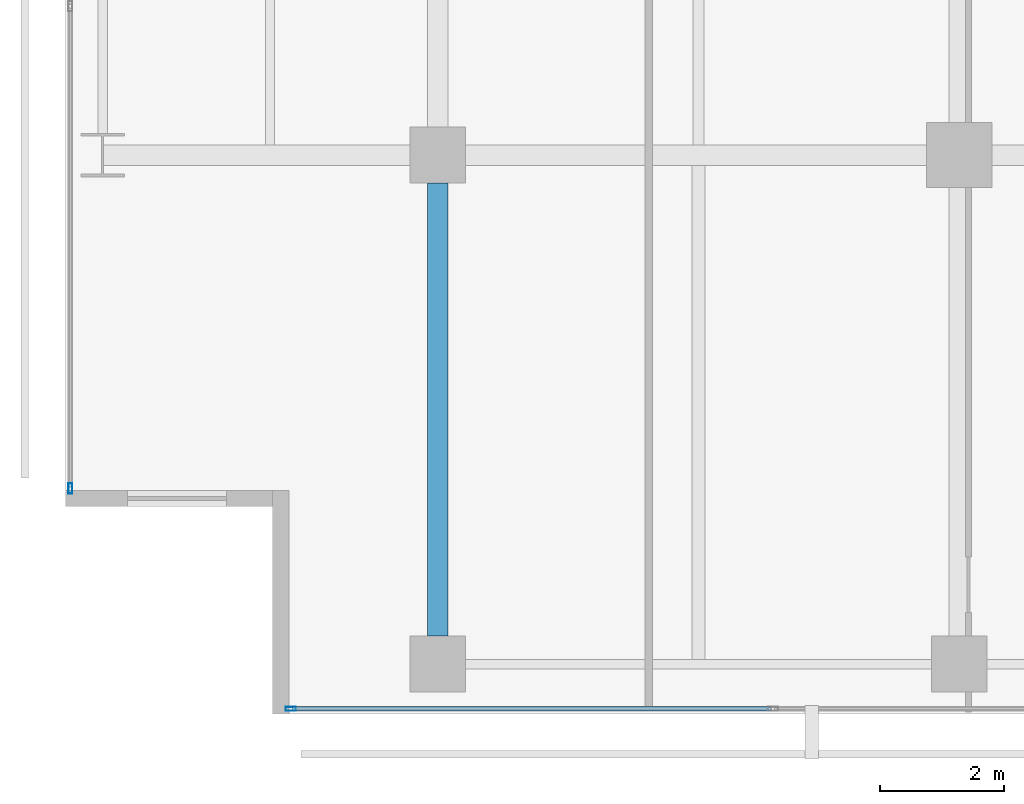
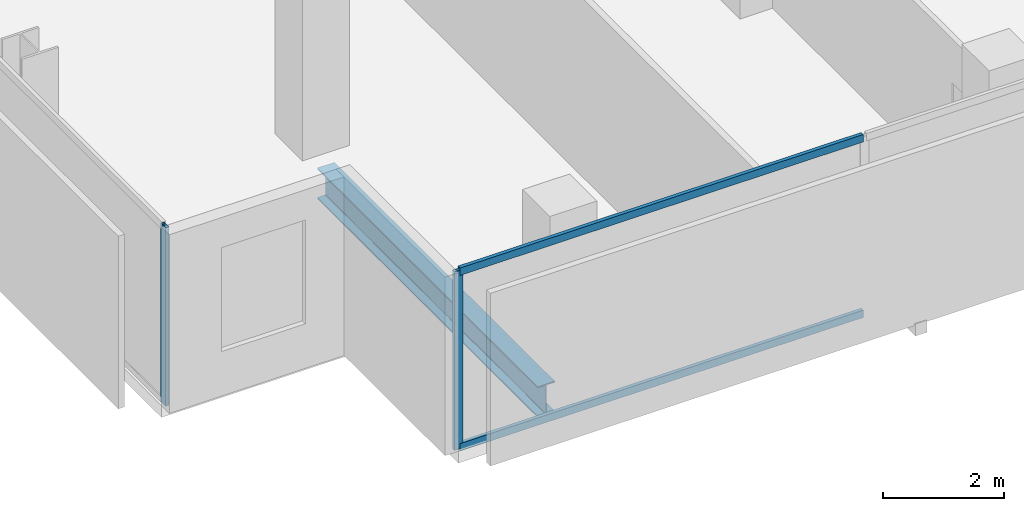
# One storey, part 2 of 39: 4 members, 1 beam, 2 elements without a shape of their own.
"""IFC4 building model written with IfcOpenShell, lengths in metres."""

from ifc_helpers import new_model, si_unit, direction, frame, origin, origin_2d, place, context, subcontext, project, spatial, hollow_rectangle, i_section, extrude, material, layer, layer_set, material_profile, profile_set, type_object, element, aggregate, save


model = new_model("IFC4")

# Units and contexts
model_context = context("Model", 3, precision=1e-05, world=origin(), true_north=direction((0.0, 1.0)))
body_context = subcontext(model_context, "Body", "Model", "MODEL_VIEW")
ifc_project = project(units=[si_unit("LENGTHUNIT", "METRE"), si_unit("AREAUNIT", "SQUARE_METRE"), si_unit("VOLUMEUNIT", "CUBIC_METRE"), si_unit("PLANEANGLEUNIT", "RADIAN"), si_unit("MASSUNIT", "GRAM", prefix="KILO")], contexts=[model_context])

# Site, building, storey
site_placement = place(None, origin())
site = spatial("IfcSite", under=ifc_project, at=site_placement, CompositionType="ELEMENT")
building_placement = place(site_placement, origin())
building = spatial("IfcBuilding", under=site, at=building_placement, Name="Maruvema Waterfront Hotel and Observation Tower", CompositionType="ELEMENT")
storey_placement = place(building_placement, frame((0.0, 0.0, 69.300048828125)))
storey = spatial("IfcBuildingStorey", under=building, at=storey_placement, Name="L16", CompositionType="ELEMENT", Elevation=69.300048828125)

# Curtain wall, members
ifc_material_1 = material(Name="Anodised bronze aluminium and solar-control low-E IGU", Category="aluminium")
ifc_layer = layer(ifc_material_1, 0.159912109375, Name="Zone 1 Bronze Inner Thermal Curtain Wall System CW-02")
ifc_layer_set = layer_set([ifc_layer], Name="Anodised bronze aluminium and solar-control low-E IGU")
curtain_wall_type = type_object("IfcCurtainWallType", Name="Zone 1 Bronze Inner Thermal Curtain Wall System CW-02", PredefinedType="USERDEFINED", material=ifc_layer_set)
curtain_wall_1_placement = place(storey_placement, origin())
curtain_wall_1 = element("IfcCurtainWall", 1, at=curtain_wall_1_placement, inside=storey, type_object=curtain_wall_type, Name="L16 Curtain Wall CW-L16-S", ObjectType="UNITISED CURTAIN WALL", PredefinedType="USERDEFINED")
ifc_material_2 = material(Name="Anodised architectural bronze aluminium", Category="aluminium")
ifc_material_profile_1 = material_profile(ifc_material_2, hollow_rectangle(XDim=0.070068359375, YDim=0.14990234375, WallThickness=0.00390625, at=origin_2d()), Name="ALU-T70x150")
ifc_profile_set_1 = profile_set([ifc_material_profile_1], Name="Anodised architectural bronze aluminium")
member_type_1 = type_object("IfcMemberType", Name="Curtain Wall Horizontal Transom ALU-T70x150", PredefinedType="USERDEFINED", material=ifc_profile_set_1)
member_1_placement = place(storey_placement, frame((14.4599609375, 0.080078125, 0.030029296875), z_axis=(1.0, 0.0, 0.0), x_axis=(0.0, 1.0, 0.0)))
member_1 = element("IfcMember", 2, at=member_1_placement, type_object=member_type_1, Name="CW-02 transom 1.1", ObjectType="TRANSOM", PredefinedType="USERDEFINED", context=body_context, shape_type="SweptSolid", body=[
    extrude(hollow_rectangle(XDim=0.070068359375, YDim=0.14990234375, WallThickness=0.00390625, at=origin_2d()), origin(), (0.0, 0.0, 1.0), 7.7099609375),
])
member_2_placement = place(storey_placement, frame((14.4599609375, 0.080078125, 3.579833984375), z_axis=(1.0, 0.0, 0.0), x_axis=(0.0, 1.0, 0.0)))
member_2 = element("IfcMember", 3, at=member_2_placement, type_object=member_type_1, Name="CW-02 transom 1.2", ObjectType="TRANSOM", PredefinedType="USERDEFINED", context=body_context, shape_type="SweptSolid", body=[
    extrude(hollow_rectangle(XDim=0.070068359375, YDim=0.14990234375, WallThickness=0.00390625, at=origin_2d()), origin(), (0.0, 0.0, 1.0), 7.7099609375),
])
ifc_material_3 = material(Name="Anodised architectural bronze aluminium", Category="aluminium")
ifc_material_profile_2 = material_profile(ifc_material_3, hollow_rectangle(XDim=0.06494140625, YDim=0.1650390625, WallThickness=0.00390625, at=origin_2d()), Name="ALU-M65x165")
ifc_profile_set_2 = profile_set([ifc_material_profile_2], Name="Anodised architectural bronze aluminium")
member_type_2 = type_object("IfcMemberType", Name="Curtain Wall Primary Mullion ALU-M65x165", PredefinedType="MULLION", material=ifc_profile_set_2)
member_3_placement = place(storey_placement, frame((14.429931640625, 0.080078125, 0.0), z_axis=(0.0, 0.0, 1.0), x_axis=(0.0, 1.0, 0.0)))
member_3 = element("IfcMember", 4, at=member_3_placement, type_object=member_type_2, Name="CW-02 mullion 1", PredefinedType="MULLION", context=body_context, shape_type="SweptSolid", body=[
    extrude(hollow_rectangle(XDim=0.06494140625, YDim=0.1650390625, WallThickness=0.00390625, at=origin_2d()), origin(), (0.0, 0.0, 1.0), 3.60986328125),
])
aggregate(curtain_wall_1, [member_3, member_1, member_2])

# Curtain wall, member
curtain_wall_2_placement = place(storey_placement, origin())
curtain_wall_2 = element("IfcCurtainWall", 5, at=curtain_wall_2_placement, inside=storey, type_object=curtain_wall_type, Name="L16 Curtain Wall CW-L16-W", ObjectType="UNITISED CURTAIN WALL", PredefinedType="USERDEFINED")
member_4_placement = place(storey_placement, frame((10.8798828125, 3.6298828125, 0.0), z_axis=(0.0, 0.0, 1.0), x_axis=(1.0, 0.0, 0.0)))
member_4 = element("IfcMember", 6, at=member_4_placement, type_object=member_type_2, Name="CW-02 mullion 7", PredefinedType="MULLION", context=body_context, shape_type="SweptSolid", body=[
    extrude(hollow_rectangle(XDim=0.06494140625, YDim=0.1650390625, WallThickness=0.00390625, at=origin_2d()), origin(), (0.0, 0.0, 1.0), 3.60986328125),
])
aggregate(curtain_wall_2, [member_4])

# Beam
ifc_material_4 = material(Name="Steel ASTM A572 Grade 50", Category="steel")
ifc_material_profile_3 = material_profile(ifc_material_4, i_section(OverallWidth=0.326904296875, OverallDepth=0.6220703125, WebThickness=0.015380859375, FlangeThickness=0.0244140625, FilletRadius=0.01806640625, at=origin_2d()), Name="W610x195.0")
ifc_profile_set_3 = profile_set([ifc_material_profile_3], Name="Steel ASTM A572 Grade 50")
beam_type = type_object("IfcBeamType", Name="Primary Floor Girder W610x195.0", PredefinedType="BEAM", material=ifc_profile_set_3)
beam_placement = place(storey_placement, frame((16.800048828125, 1.25, -0.551025390625), z_axis=(0.0, 1.0, 0.0), x_axis=(-1.0, 0.0, 0.0)))
element("IfcBeam", 7, at=beam_placement, inside=storey, type_object=beam_type, Name="L16 Floor Girder NS-05", PredefinedType="BEAM", context=body_context, shape_type="SweptSolid", body=[
    extrude(i_section(OverallWidth=0.326904296875, OverallDepth=0.6220703125, WebThickness=0.015380859375, FlangeThickness=0.0244140625, FilletRadius=0.01806640625, at=origin_2d()), origin(), (0.0, 0.0, 1.0), 7.300048828125),
])

save(model, "model.ifc")
